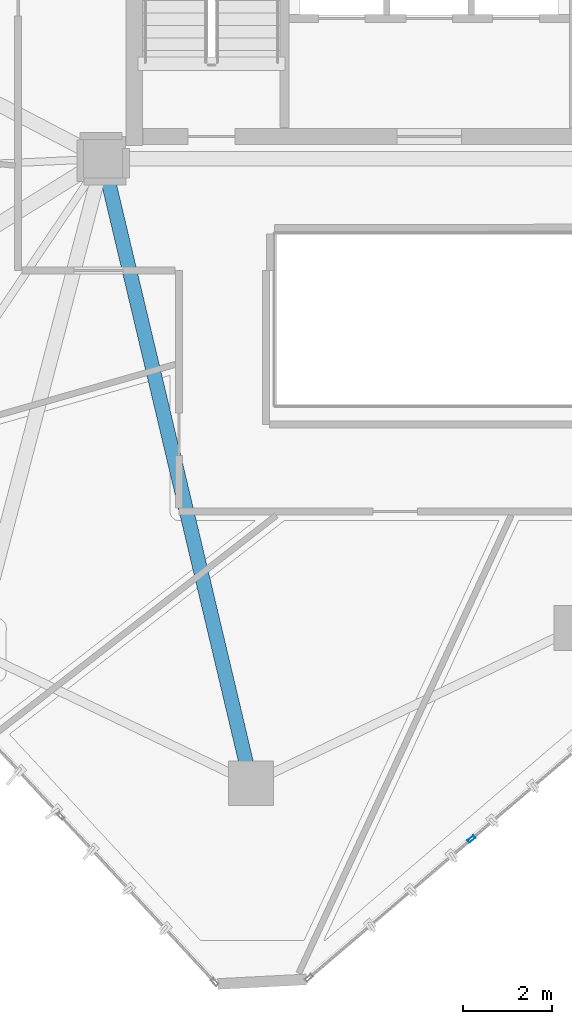
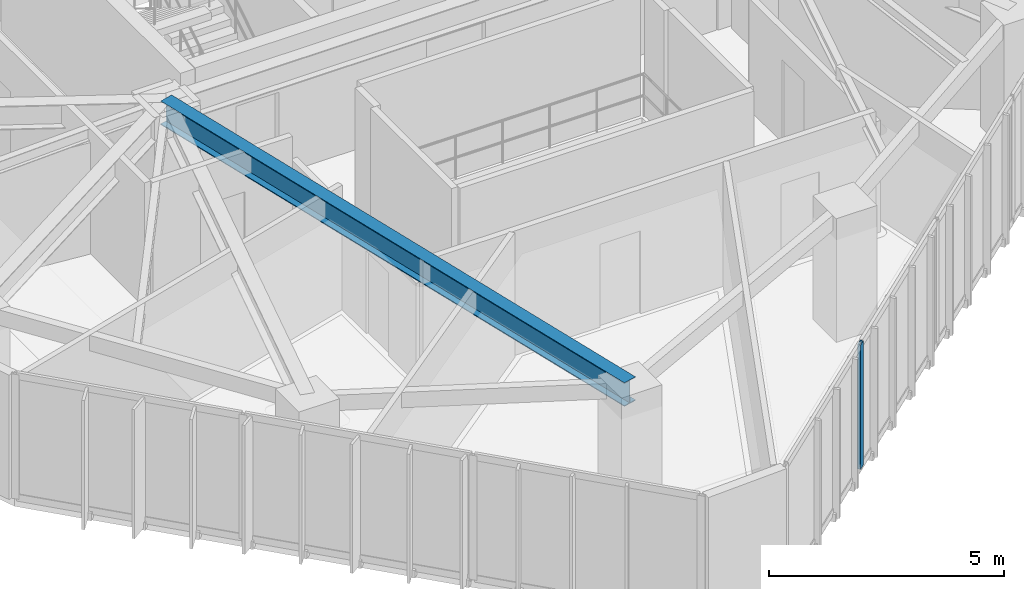
# One storey, part 4 of 21: 1 beam, 1 member, 1 element without a shape of its own.
"""IFC4 building model written with IfcOpenShell, lengths in metres."""

from ifc_helpers import new_model, si_unit, direction, frame, origin, origin_2d, place, context, subcontext, project, spatial, hollow_rectangle, i_section, extrude, source, transform, mapped, material, layer, layer_set, material_profile, profile_set, type_object, type_shapes, element, aggregate, save


model = new_model("IFC4")

# Units and contexts
model_context = context("Model", 3, precision=1e-05, world=origin(), true_north=direction((0.0, 1.0)))
body_context = subcontext(model_context, "Body", "Model", "MODEL_VIEW")
ifc_project = project(units=[si_unit("LENGTHUNIT", "METRE"), si_unit("AREAUNIT", "SQUARE_METRE"), si_unit("VOLUMEUNIT", "CUBIC_METRE"), si_unit("PLANEANGLEUNIT", "RADIAN"), si_unit("MASSUNIT", "GRAM", prefix="KILO")], contexts=[model_context])

# Site, building, storey
site_placement = place(None, origin())
site = spatial("IfcSite", under=ifc_project, at=site_placement, CompositionType="ELEMENT")
building_placement = place(site_placement, origin())
building = spatial("IfcBuilding", under=site, at=building_placement, Name="Talar Marvaseh", CompositionType="ELEMENT")
storey_placement = place(building_placement, frame((0.0, 0.0, 225.699951171875)))
storey = spatial("IfcBuildingStorey", under=building, at=storey_placement, Name="L59", CompositionType="ELEMENT", Elevation=225.699951171875)

# Beam
ifc_material_1 = material(Name="Steel S355", Category="steel")
ifc_material_profile_1 = material_profile(ifc_material_1, i_section(OverallWidth=0.324951171875, OverallDepth=0.615966796875, WebThickness=0.013916015625, FlangeThickness=0.021484375, at=origin_2d()), Name="W610x174")
ifc_profile_set_1 = profile_set([ifc_material_profile_1], Name="Steel S355")
beam_type = type_object("IfcBeamType", Name="Zone 3 Radial Floor Girder W610x174", PredefinedType="BEAM", material=ifc_profile_set_1)
beam_placement = place(storey_placement, frame((22.014892578125, 11.51904296875, 2.922119140625), z_axis=(-0.230707708791, 0.973023099985, 0.0), x_axis=(-0.973023099985, -0.230707708791, 0.0)))
element("IfcBeam", 1, at=beam_placement, inside=storey, type_object=beam_type, Name="L59 Zone 3 Radial Floor Girder W610x174", PredefinedType="BEAM", context=body_context, shape_type="SweptSolid", body=[
    extrude(i_section(OverallWidth=0.324951171875, OverallDepth=0.615966796875, WebThickness=0.013916015625, FlangeThickness=0.021484375, at=origin_2d()), origin(), (0.0, 0.0, 1.0), 14.36865234375),
])

# Curtain wall, member
ifc_material_2 = material(Name="Architectural Aluminium", Category="aluminium")
ifc_layer = layer(ifc_material_2, 0.18994140625)
ifc_layer_set = layer_set([ifc_layer], Name="Architectural Aluminium")
curtain_wall_type = type_object("IfcCurtainWallType", Name="Unitised Solar Atelier Curtain Wall Z3", PredefinedType="NOTDEFINED", material=ifc_layer_set)
curtain_wall_placement = place(storey_placement, origin())
curtain_wall = element("IfcCurtainWall", 2, at=curtain_wall_placement, inside=storey, type_object=curtain_wall_type, Name="L59 Unitised Solar Atelier Curtain Wall Z3", PredefinedType="NOTDEFINED")
ifc_material_profile_2 = material_profile(ifc_material_2, hollow_rectangle(XDim=0.074951171875, YDim=0.179931640625, WallThickness=0.0048828125, at=origin_2d()), Name="RHS180x75x5")
ifc_profile_set_2 = profile_set([ifc_material_profile_2], Name="Architectural Aluminium")
member_type = type_object("IfcMemberType", Name="Unitised Curtain Wall Standard Mullion RHS180x75x5", PredefinedType="MULLION", material=ifc_profile_set_2)
shared_shape = source(origin(), body_context, "Body", "SweptSolid", [
    extrude(hollow_rectangle(XDim=0.074951171875, YDim=0.179931640625, WallThickness=0.0048828125, at=origin_2d()), origin(), (0.0, 0.0, 1.0), 3.22998046875),
])
type_shapes(member_type, [shared_shape])
member_placement = place(storey_placement, frame((26.950927734375, 10.2705078125, 0.0), z_axis=(0.0, 0.0, 1.0), x_axis=(0.649564719149, -0.760306303826, 0.0)))
member = element("IfcMember", 3, at=member_placement, type_object=member_type, Name="CW-Z3 mullion 4", PredefinedType="MULLION", context=body_context, shape_type="MappedRepresentation", body=[
    mapped(shared_shape, transform((0.0, 0.0, 0.0), x_axis=(1.0, 0.0, 0.0), y_axis=(0.0, 1.0, 0.0), z_axis=(0.0, 0.0, 1.0), scale=1.0)),
])
aggregate(curtain_wall, [member])

save(model, "model.ifc")
